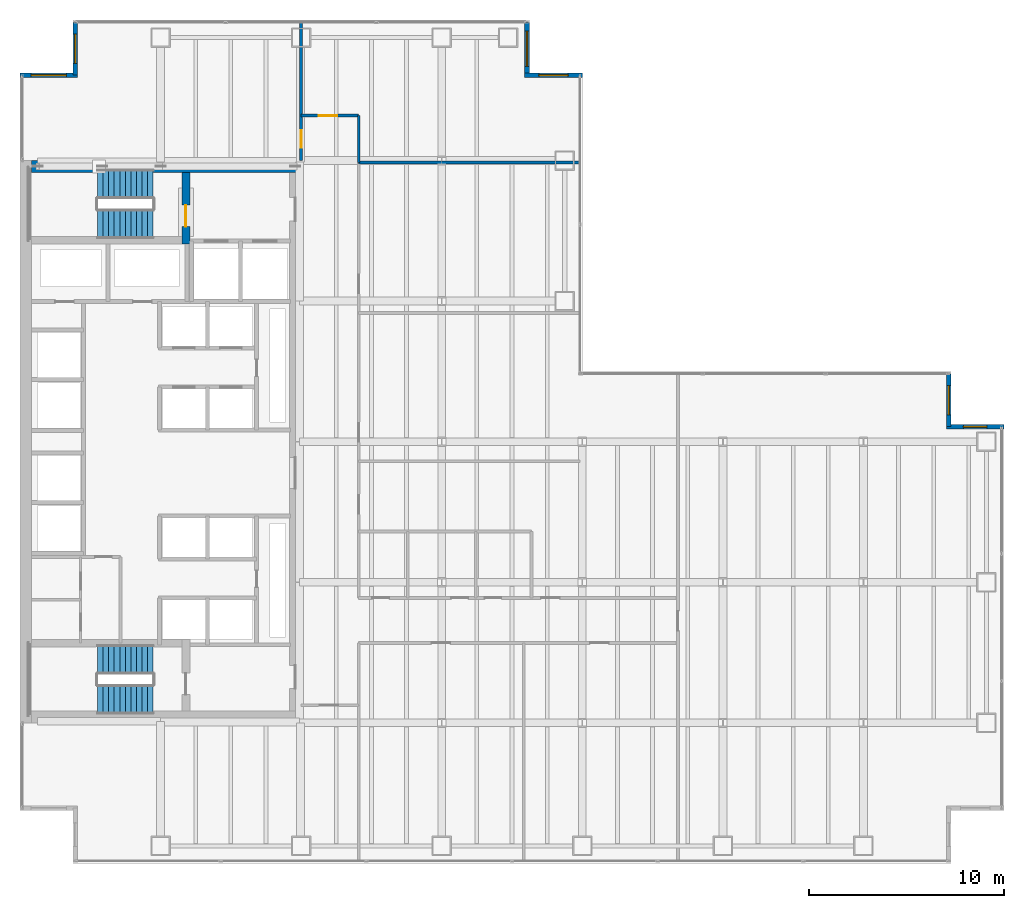
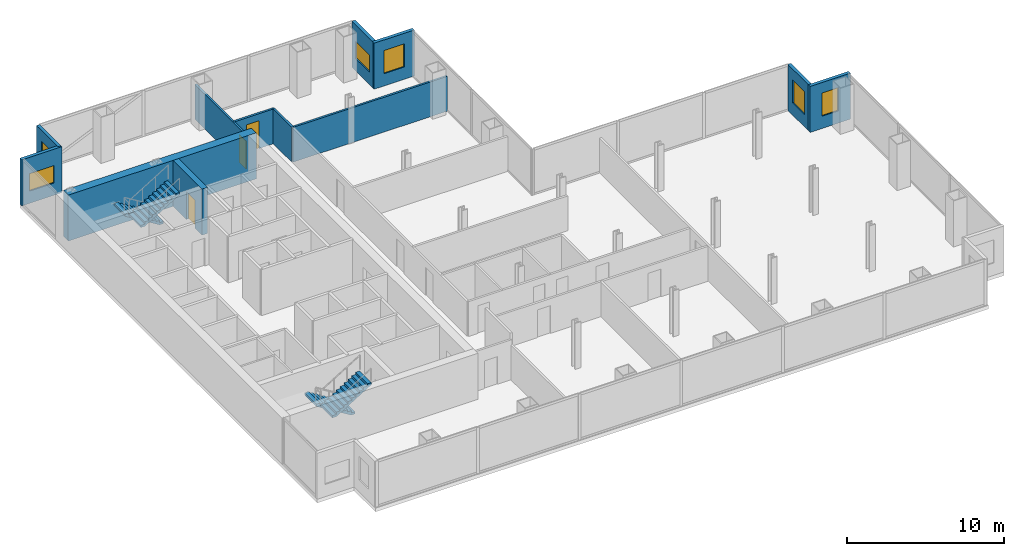
# One storey, part 22 of 23: 12 walls, 6 windows, 4 stair flights, 3 doors, 9 openings, 2 elements without a shape of their own.
"""IFC4 building model written with IfcOpenShell, lengths in metres."""

from ifc_helpers import new_model, si_unit, direction, frame, frame_2d, origin, place, context, subcontext, project, spatial, polyline, rectangle, outline, extrude, material, layer, layer_set, type_object, element, fill, aggregate, save


model = new_model("IFC4")

# Units and contexts
model_context = context("Model", 3, precision=1e-05, world=origin(), true_north=direction((0.0, 1.0)))
body_context = subcontext(model_context, "Body", "Model", "MODEL_VIEW")
ifc_project = project(units=[si_unit("LENGTHUNIT", "METRE"), si_unit("AREAUNIT", "SQUARE_METRE"), si_unit("VOLUMEUNIT", "CUBIC_METRE"), si_unit("PLANEANGLEUNIT", "RADIAN"), si_unit("MASSUNIT", "GRAM", prefix="KILO")], contexts=[model_context])

# Site, building, storey
site_placement = place(None, origin())
site = spatial("IfcSite", under=ifc_project, at=site_placement, CompositionType="ELEMENT")
building_placement = place(site_placement, origin())
building = spatial("IfcBuilding", under=site, at=building_placement, Name="Cobrela Telecom Tower", CompositionType="ELEMENT")
storey_placement = place(building_placement, frame((0.0, 0.0, 65.800048828125)))
storey = spatial("IfcBuildingStorey", under=building, at=storey_placement, Name="L16", CompositionType="ELEMENT", Elevation=65.800048828125)

# Wall
ifc_material_1 = material(Name="Concrete C50/60", Category="concrete")
ifc_layer_1 = layer(ifc_material_1, 0.60009765625)
ifc_layer_set_1 = layer_set([ifc_layer_1], Name="Concrete C50/60")
wall_type_1 = type_object("IfcWallType", Name="WALL-CORE-C50-600", PredefinedType="SHEAR", material=ifc_layer_set_1)
wall_1_placement = place(storey_placement, frame((0.60009765625, 35.699951171875, 0.0), z_axis=(0.0, 0.0, 1.0), x_axis=(1.0, 0.0, 0.0)))
element("IfcWall", 1, at=wall_1_placement, inside=storey, type_object=wall_type_1, Name="L16 North Core Shear Wall", PredefinedType="SHEAR", context=body_context, shape_type="SweptSolid", body=[
    extrude(rectangle(XDim=13.7998046875, YDim=0.60009765625, at=frame_2d((6.89990234375, 0.0))), origin(), (0.0, 0.0, 1.0), 3.570068359375),
])

# Wall, opening, window
ifc_material_2 = material(Name="Concrete C40/50", Category="concrete")
ifc_layer_2 = layer(ifc_material_2, 0.239990234375)
ifc_layer_set_2 = layer_set([ifc_layer_2], Name="Concrete C40/50")
wall_type_2 = type_object("IfcWallType", Name="WALL-EXT-300", PredefinedType="STANDARD", material=ifc_layer_set_2)
wall_2_placement = place(storey_placement, frame((0.0, 40.3701171875, 0.0), z_axis=(0.0, 0.0, 1.0), x_axis=(1.0, 0.0, 0.0)))
wall_2 = element("IfcWall", 2, at=wall_2_placement, inside=storey, type_object=wall_type_2, Name="L16 Insulated Facade Wall 05", PredefinedType="STANDARD", context=body_context, shape_type="SweptSolid", body=[
    extrude(rectangle(XDim=2.949951171875, YDim=0.239990234375, at=frame_2d((1.47509765625, 0.0))), origin(), (0.0, 0.0, 1.0), 3.570068359375),
])
opening_1_placement = place(wall_2_placement, frame((0.574951171875, 0.0, 0.949951171875)))
opening_1 = element("IfcOpeningElement", 3, at=opening_1_placement, cuts=wall_2, Name="Opening WN-27", PredefinedType="OPENING", context=body_context, shape_type="SweptSolid", body=[
    extrude(rectangle(XDim=1.800048828125, YDim=1.35009765625, at=frame_2d((0.89990234375, 0.675048828125))), frame((0.0, 0.1318359375, 0.0), z_axis=(0.0, -1.0, 0.0), x_axis=(1.0, 0.0, 0.0)), (0.0, 0.0, 1.0), 0.263916015625),
])
ifc_material_3 = material(Name="Solar-Control Bronze Low-E Glass", Category="glass")
window_type_1 = type_object("IfcWindowType", Name="WIN-CLER-1800", PartitioningType="SINGLE_PANEL", PredefinedType="WINDOW", material=ifc_material_3)
window_1_placement = place(opening_1_placement, origin())
window_1 = element("IfcWindow", 4, at=window_1_placement, inside=storey, type_object=window_type_1, Name="L16 Corner Notch Facade Window 072", OverallHeight=1.35009765625, OverallWidth=1.800048828125, PartitioningType="SINGLE_PANEL", PredefinedType="WINDOW", context=body_context, shape_type="SweptSolid", body=[
    extrude(rectangle(XDim=1.800048828125, YDim=1.35009765625, at=frame_2d((0.89990234375, 0.675048828125))), frame((0.0, 0.030029296875, 0.0), z_axis=(0.0, -1.0, 0.0), x_axis=(1.0, 0.0, 0.0)), (0.0, 0.0, 1.0), 0.06005859375),
])
fill(opening_1, window_1)

wall_3_placement = place(storey_placement, frame((2.830078125, 40.3701171875, 0.0), z_axis=(0.0, 0.0, 1.0), x_axis=(0.0, 1.0, 0.0)))
wall_3 = element("IfcWall", 5, at=wall_3_placement, inside=storey, type_object=wall_type_2, Name="L16 Insulated Facade Wall 06", PredefinedType="STANDARD", context=body_context, shape_type="SweptSolid", body=[
    extrude(rectangle(XDim=2.7099609375, YDim=0.239990234375, at=frame_2d((1.35498046875, 0.0))), origin(), (0.0, 0.0, 1.0), 3.570068359375),
])
opening_2_placement = place(wall_3_placement, frame((0.60498046875, 0.0, 0.949951171875)))
opening_2 = element("IfcOpeningElement", 6, at=opening_2_placement, cuts=wall_3, Name="Opening WN-45", PredefinedType="OPENING", context=body_context, shape_type="SweptSolid", body=[
    extrude(rectangle(XDim=1.5, YDim=1.800048828125, at=frame_2d((0.75, 0.89990234375))), frame((0.0, 0.1318359375, 0.0), z_axis=(0.0, -1.0, 0.0), x_axis=(1.0, 0.0, 0.0)), (0.0, 0.0, 1.0), 0.263916015625),
])
window_type_2 = type_object("IfcWindowType", Name="WIN-MOD-1500", PartitioningType="SINGLE_PANEL", PredefinedType="WINDOW", material=ifc_material_3)
window_2_placement = place(opening_2_placement, origin())
window_2 = element("IfcWindow", 7, at=window_2_placement, inside=storey, type_object=window_type_2, Name="L16 Corner Notch Facade Window 073", OverallHeight=1.800048828125, OverallWidth=1.5, PartitioningType="SINGLE_PANEL", PredefinedType="WINDOW", context=body_context, shape_type="SweptSolid", body=[
    extrude(rectangle(XDim=1.5, YDim=1.800048828125, at=frame_2d((0.75, 0.89990234375))), frame((0.0, 0.030029296875, 0.0), z_axis=(0.0, -1.0, 0.0), x_axis=(1.0, 0.0, 0.0)), (0.0, 0.0, 1.0), 0.06005859375),
])
fill(opening_2, window_2)

wall_4_placement = place(storey_placement, frame((25.969970703125, 43.080078125, 0.0), z_axis=(0.0, 0.0, 1.0), x_axis=(0.0, -1.0, 0.0)))
wall_4 = element("IfcWall", 8, at=wall_4_placement, inside=storey, type_object=wall_type_2, Name="L16 Insulated Facade Wall 08", PredefinedType="STANDARD", context=body_context, shape_type="SweptSolid", body=[
    extrude(rectangle(XDim=2.7099609375, YDim=0.239990234375, at=frame_2d((1.35498046875, 0.0))), origin(), (0.0, 0.0, 1.0), 3.570068359375),
])
opening_3_placement = place(wall_4_placement, frame((0.455078125, 0.0, 0.949951171875)))
opening_3 = element("IfcOpeningElement", 9, at=opening_3_placement, cuts=wall_4, Name="Opening WN-27", PredefinedType="OPENING", context=body_context, shape_type="SweptSolid", body=[
    extrude(rectangle(XDim=1.800048828125, YDim=1.35009765625, at=frame_2d((0.89990234375, 0.675048828125))), frame((0.0, 0.1318359375, 0.0), z_axis=(0.0, -1.0, 0.0), x_axis=(1.0, 0.0, 0.0)), (0.0, 0.0, 1.0), 0.263916015625),
])
window_3_placement = place(opening_3_placement, origin())
window_3 = element("IfcWindow", 10, at=window_3_placement, inside=storey, type_object=window_type_1, Name="L16 Corner Notch Facade Window 074", OverallHeight=1.35009765625, OverallWidth=1.800048828125, PartitioningType="SINGLE_PANEL", PredefinedType="WINDOW", context=body_context, shape_type="SweptSolid", body=[
    extrude(rectangle(XDim=1.800048828125, YDim=1.35009765625, at=frame_2d((0.89990234375, 0.675048828125))), frame((0.0, 0.030029296875, 0.0), z_axis=(0.0, -1.0, 0.0), x_axis=(1.0, 0.0, 0.0)), (0.0, 0.0, 1.0), 0.06005859375),
])
fill(opening_3, window_3)

wall_5_placement = place(storey_placement, frame((25.85009765625, 40.3701171875, 0.0), z_axis=(0.0, 0.0, 1.0), x_axis=(1.0, 0.0, 0.0)))
wall_5 = element("IfcWall", 11, at=wall_5_placement, inside=storey, type_object=wall_type_2, Name="L16 Insulated Facade Wall 09", PredefinedType="STANDARD", context=body_context, shape_type="SweptSolid", body=[
    extrude(rectangle(XDim=2.949951171875, YDim=0.239990234375, at=frame_2d((1.47509765625, 0.0))), origin(), (0.0, 0.0, 1.0), 3.570068359375),
])
opening_4_placement = place(wall_5_placement, frame((0.72509765625, 0.0, 0.949951171875)))
opening_4 = element("IfcOpeningElement", 12, at=opening_4_placement, cuts=wall_5, Name="Opening WN-45", PredefinedType="OPENING", context=body_context, shape_type="SweptSolid", body=[
    extrude(rectangle(XDim=1.5, YDim=1.800048828125, at=frame_2d((0.75, 0.89990234375))), frame((0.0, 0.1318359375, 0.0), z_axis=(0.0, -1.0, 0.0), x_axis=(1.0, 0.0, 0.0)), (0.0, 0.0, 1.0), 0.263916015625),
])
window_4_placement = place(opening_4_placement, origin())
window_4 = element("IfcWindow", 13, at=window_4_placement, inside=storey, type_object=window_type_2, Name="L16 Corner Notch Facade Window 075", OverallHeight=1.800048828125, OverallWidth=1.5, PartitioningType="SINGLE_PANEL", PredefinedType="WINDOW", context=body_context, shape_type="SweptSolid", body=[
    extrude(rectangle(XDim=1.5, YDim=1.800048828125, at=frame_2d((0.75, 0.89990234375))), frame((0.0, 0.030029296875, 0.0), z_axis=(0.0, -1.0, 0.0), x_axis=(1.0, 0.0, 0.0)), (0.0, 0.0, 1.0), 0.06005859375),
])
fill(opening_4, window_4)

wall_6_placement = place(storey_placement, frame((47.570068359375, 25.080078125, 0.0), z_axis=(0.0, 0.0, 1.0), x_axis=(0.0, -1.0, 0.0)))
wall_6 = element("IfcWall", 14, at=wall_6_placement, inside=storey, type_object=wall_type_2, Name="L16 Insulated Facade Wall 12", PredefinedType="STANDARD", context=body_context, shape_type="SweptSolid", body=[
    extrude(rectangle(XDim=2.7099609375, YDim=0.239990234375, at=frame_2d((1.35498046875, 0.0))), origin(), (0.0, 0.0, 1.0), 3.570068359375),
])
opening_5_placement = place(wall_6_placement, frame((0.60498046875, 0.0, 0.949951171875)))
opening_5 = element("IfcOpeningElement", 15, at=opening_5_placement, cuts=wall_6, Name="Opening WN-45", PredefinedType="OPENING", context=body_context, shape_type="SweptSolid", body=[
    extrude(rectangle(XDim=1.5, YDim=1.800048828125, at=frame_2d((0.75, 0.89990234375))), frame((0.0, 0.1318359375, 0.0), z_axis=(0.0, -1.0, 0.0), x_axis=(1.0, 0.0, 0.0)), (0.0, 0.0, 1.0), 0.263916015625),
])
window_5_placement = place(opening_5_placement, origin())
window_5 = element("IfcWindow", 16, at=window_5_placement, inside=storey, type_object=window_type_2, Name="L16 Corner Notch Facade Window 076", OverallHeight=1.800048828125, OverallWidth=1.5, PartitioningType="SINGLE_PANEL", PredefinedType="WINDOW", context=body_context, shape_type="SweptSolid", body=[
    extrude(rectangle(XDim=1.5, YDim=1.800048828125, at=frame_2d((0.75, 0.89990234375))), frame((0.0, 0.030029296875, 0.0), z_axis=(0.0, -1.0, 0.0), x_axis=(1.0, 0.0, 0.0)), (0.0, 0.0, 1.0), 0.06005859375),
])
fill(opening_5, window_5)

wall_7_placement = place(storey_placement, frame((47.449951171875, 22.3701171875, 0.0), z_axis=(0.0, 0.0, 1.0), x_axis=(1.0, 0.0, 0.0)))
wall_7 = element("IfcWall", 17, at=wall_7_placement, inside=storey, type_object=wall_type_2, Name="L16 Insulated Facade Wall 13", PredefinedType="STANDARD", context=body_context, shape_type="SweptSolid", body=[
    extrude(rectangle(XDim=2.949951171875, YDim=0.239990234375, at=frame_2d((1.47509765625, 0.0))), origin(), (0.0, 0.0, 1.0), 3.570068359375),
])
opening_6_placement = place(wall_7_placement, frame((0.875, 0.0, 0.949951171875)))
opening_6 = element("IfcOpeningElement", 18, at=opening_6_placement, cuts=wall_7, Name="Opening WN-19", PredefinedType="OPENING", context=body_context, shape_type="SweptSolid", body=[
    extrude(rectangle(XDim=1.199951171875, YDim=1.800048828125, at=frame_2d((0.60009765625, 0.89990234375))), frame((0.0, 0.1318359375, 0.0), z_axis=(0.0, -1.0, 0.0), x_axis=(1.0, 0.0, 0.0)), (0.0, 0.0, 1.0), 0.263916015625),
])
window_type_3 = type_object("IfcWindowType", Name="WIN-MOD-1200", PartitioningType="SINGLE_PANEL", PredefinedType="WINDOW", material=ifc_material_3)
window_6_placement = place(opening_6_placement, origin())
window_6 = element("IfcWindow", 19, at=window_6_placement, inside=storey, type_object=window_type_3, Name="L16 Corner Notch Facade Window 077", OverallHeight=1.800048828125, OverallWidth=1.199951171875, PartitioningType="SINGLE_PANEL", PredefinedType="WINDOW", context=body_context, shape_type="SweptSolid", body=[
    extrude(rectangle(XDim=1.199951171875, YDim=1.800048828125, at=frame_2d((0.60009765625, 0.89990234375))), frame((0.0, 0.030029296875, 0.0), z_axis=(0.0, -1.0, 0.0), x_axis=(1.0, 0.0, 0.0)), (0.0, 0.0, 1.0), 0.06005859375),
])
fill(opening_6, window_6)

# Wall, opening, door
ifc_material_4 = material(Name="Fire-Rated Gypsum Plasterboard")
ifc_layer_3 = layer(ifc_material_4, 0.14990234375)
ifc_layer_set_3 = layer_set([ifc_layer_3], Name="Fire-Rated Gypsum Plasterboard")
wall_type_3 = type_object("IfcWallType", Name="WALL-PART-150", PredefinedType="PARTITIONING", material=ifc_layer_set_3)
wall_8_placement = place(storey_placement, frame((14.39990234375, 36.0, 0.0), z_axis=(0.0, 0.0, 1.0), x_axis=(0.0, 1.0, 0.0)))
wall_8 = element("IfcWall", 20, at=wall_8_placement, inside=storey, type_object=wall_type_3, Name="L16 Interior Partition W-CN-W", PredefinedType="PARTITIONING", context=body_context, shape_type="SweptSolid", body=[
    extrude(rectangle(XDim=7.080078125, YDim=0.14990234375, at=frame_2d((3.5400390625, 0.0))), origin(), (0.0, 0.0, 1.0), 2.698974609375),
])
opening_7_placement = place(wall_8_placement, frame((0.64990234375, 0.0, 0.0)))
opening_7 = element("IfcOpeningElement", 21, at=opening_7_placement, cuts=wall_8, Name="Opening DR-41", PredefinedType="OPENING", context=body_context, shape_type="SweptSolid", body=[
    extrude(rectangle(XDim=0.89990234375, YDim=2.14990234375, at=frame_2d((0.449951171875, 1.074951171875))), frame((0.0, 0.0869140625, 0.0), z_axis=(0.0, -1.0, 0.0), x_axis=(1.0, 0.0, 0.0)), (0.0, 0.0, 1.0), 0.173828125),
])
ifc_material_5 = material(Name="Solid Engineered Oak Timber", Category="wood")
door_type_1 = type_object("IfcDoorType", Name="DOOR-INT-900", OperationType="SINGLE_SWING_LEFT", PredefinedType="DOOR", material=ifc_material_5)
door_1_placement = place(opening_7_placement, origin())
door_1 = element("IfcDoor", 22, at=door_1_placement, inside=storey, type_object=door_type_1, Name="L16 Door DR-41", OperationType="SINGLE_SWING_LEFT", OverallHeight=2.14990234375, OverallWidth=0.89990234375, PredefinedType="DOOR", context=body_context, shape_type="SweptSolid", body=[
    extrude(rectangle(XDim=0.89990234375, YDim=2.14990234375, at=frame_2d((0.449951171875, 1.074951171875))), frame((0.0, 0.02490234375, 0.0), z_axis=(0.0, -1.0, 0.0), x_axis=(1.0, 0.0, 0.0)), (0.0, 0.0, 1.0), 0.050048828125),
])
fill(opening_7, door_1)

# Wall
wall_9_placement = place(storey_placement, frame((17.35009765625, 35.89990234375, 0.0), z_axis=(0.0, 0.0, 1.0), x_axis=(0.0, 1.0, 0.0)))
element("IfcWall", 23, at=wall_9_placement, inside=storey, type_object=wall_type_3, Name="L16 Interior Partition W-CN-E", PredefinedType="PARTITIONING", context=body_context, shape_type="SweptSolid", body=[
    extrude(rectangle(XDim=2.400146484375, YDim=0.14990234375, at=frame_2d((1.2001953125, 0.0))), origin(), (0.0, 0.0, 1.0), 2.698974609375),
])

# Wall, opening, door
wall_10_placement = place(storey_placement, frame((14.39990234375, 38.300048828125, 0.0), z_axis=(0.0, 0.0, 1.0), x_axis=(1.0, 0.0, 0.0)))
wall_10 = element("IfcWall", 24, at=wall_10_placement, inside=storey, type_object=wall_type_3, Name="L16 Interior Partition W-CN-T", PredefinedType="PARTITIONING", context=body_context, shape_type="SweptSolid", body=[
    extrude(rectangle(XDim=2.9501953125, YDim=0.14990234375, at=frame_2d((1.47509765625, 0.0))), origin(), (0.0, 0.0, 1.0), 2.698974609375),
])
opening_8_placement = place(wall_10_placement, frame((0.89990234375, 0.0, 0.0)))
opening_8 = element("IfcOpeningElement", 25, at=opening_8_placement, cuts=wall_10, Name="Opening DR-67", PredefinedType="OPENING", context=body_context, shape_type="SweptSolid", body=[
    extrude(rectangle(XDim=0.949951171875, YDim=2.14990234375, at=frame_2d((0.47509765625, 1.074951171875))), frame((0.0, 0.0869140625, 0.0), z_axis=(0.0, -1.0, 0.0), x_axis=(1.0, 0.0, 0.0)), (0.0, 0.0, 1.0), 0.173828125),
])
door_type_2 = type_object("IfcDoorType", Name="DOOR-INT-950", OperationType="SINGLE_SWING_LEFT", PredefinedType="DOOR", material=ifc_material_5)
door_2_placement = place(opening_8_placement, origin())
door_2 = element("IfcDoor", 26, at=door_2_placement, inside=storey, type_object=door_type_2, Name="L16 Door DR-67", OperationType="SINGLE_SWING_RIGHT", OverallHeight=2.14990234375, OverallWidth=0.949951171875, PredefinedType="DOOR", context=body_context, shape_type="SweptSolid", body=[
    extrude(rectangle(XDim=0.949951171875, YDim=2.14990234375, at=frame_2d((0.47509765625, 1.074951171875))), frame((0.0, 0.02490234375, 0.0), z_axis=(0.0, -1.0, 0.0), x_axis=(1.0, 0.0, 0.0)), (0.0, 0.0, 1.0), 0.050048828125),
])
fill(opening_8, door_2)

# Wall
wall_11_placement = place(storey_placement, frame((17.35009765625, 35.89990234375, 0.0), z_axis=(0.0, 0.0, 1.0), x_axis=(1.0, 0.0, 0.0)))
element("IfcWall", 27, at=wall_11_placement, inside=storey, type_object=wall_type_3, Name="L16 Interior Partition W-NW2-S", PredefinedType="PARTITIONING", context=body_context, shape_type="SweptSolid", body=[
    extrude(rectangle(XDim=11.329833984375, YDim=0.14990234375, at=frame_2d((5.6650390625, 0.0))), origin(), (0.0, 0.0, 1.0), 2.698974609375),
])

# Wall, opening, door
ifc_layer_4 = layer(ifc_material_2, 0.39990234375)
ifc_layer_set_4 = layer_set([ifc_layer_4], Name="Concrete C40/50")
wall_type_4 = type_object("IfcWallType", Name="WALL-SHAFT-C40-400", PredefinedType="SHEAR", material=ifc_layer_set_4)
wall_12_placement = place(storey_placement, frame((8.5, 31.719970703125, 0.0), z_axis=(0.0, 0.0, 1.0), x_axis=(0.0, 1.0, 0.0)))
wall_12 = element("IfcWall", 28, at=wall_12_placement, inside=storey, type_object=wall_type_4, Name="L16 North Stair Lobby Shear Wall", PredefinedType="SHEAR", context=body_context, shape_type="SweptSolid", body=[
    extrude(rectangle(XDim=3.679931640625, YDim=0.39990234375, at=frame_2d((1.83984375, 0.0))), origin(), (0.0, 0.0, 1.0), 3.570068359375),
])
opening_9_placement = place(wall_12_placement, frame((0.89990234375, 0.0, 0.0)))
opening_9 = element("IfcOpeningElement", 29, at=opening_9_placement, cuts=wall_12, Name="Opening DR-59", PredefinedType="OPENING", context=body_context, shape_type="SweptSolid", body=[
    extrude(rectangle(XDim=1.10009765625, YDim=2.14990234375, at=frame_2d((0.550048828125, 1.074951171875))), frame((0.0, 0.2119140625, 0.0), z_axis=(0.0, -1.0, 0.0), x_axis=(1.0, 0.0, 0.0)), (0.0, 0.0, 1.0), 0.423828125),
])
ifc_material_6 = material(Name="Steel ASTM A36", Category="steel")
door_type_3 = type_object("IfcDoorType", Name="DOOR-FD60-1100", OperationType="SINGLE_SWING_LEFT", PredefinedType="DOOR", material=ifc_material_6)
door_3_placement = place(opening_9_placement, origin())
door_3 = element("IfcDoor", 30, at=door_3_placement, inside=storey, type_object=door_type_3, Name="L16 Door DR-59", OperationType="SINGLE_SWING_RIGHT", OverallHeight=2.14990234375, OverallWidth=1.10009765625, PredefinedType="DOOR", context=body_context, shape_type="SweptSolid", body=[
    extrude(rectangle(XDim=1.10009765625, YDim=2.14990234375, at=frame_2d((0.550048828125, 1.074951171875))), frame((0.0, 0.02490234375, 0.0), z_axis=(0.0, -1.0, 0.0), x_axis=(1.0, 0.0, 0.0)), (0.0, 0.0, 1.0), 0.050048828125),
])
fill(opening_9, door_3)

# Stair, stair flights
stair_type = type_object("IfcStairType", Name="STAIR-CORE", PredefinedType="HALF_TURN_STAIR", material=ifc_material_2)
stair_1_placement = place(storey_placement, origin())
stair_1 = element("IfcStair", 31, at=stair_1_placement, inside=storey, type_object=stair_type, Name="L16 Smokeproof Exit Stair ST1", PredefinedType="HALF_TURN_STAIR")
stair_flight_type = type_object("IfcStairFlightType", Name="FLIGHT-CORE", PredefinedType="STRAIGHT", material=ifc_material_2)
stair_flight_1_placement = place(storey_placement, frame((6.820068359375, 34.800048828125, 0.0), z_axis=(0.0, 0.0, 1.0), x_axis=(-1.0, 0.0, 0.0)))
stair_flight_1 = element("IfcStairFlight", 32, at=stair_flight_1_placement, type_object=stair_flight_type, Name="ST1 flight 1", NumberOfRisers=11, NumberOfTreads=10, PredefinedType="STRAIGHT", RiserHeight=0.175, TreadLength=0.285, context=body_context, shape_type="SweptSolid", body=[
    extrude(outline(polyline([(0.0, 0.0), (0.0, 0.175048828125), (0.284912109375, 0.175048828125), (0.284912109375, 0.35009765625), (0.570068359375, 0.35009765625), (0.570068359375, 0.52490234375), (0.85498046875, 0.52490234375), (0.85498046875, 0.699951171875), (1.139892578125, 0.699951171875), (1.139892578125, 0.875), (1.425048828125, 0.875), (1.425048828125, 1.050048828125), (1.7099609375, 1.050048828125), (1.7099609375, 1.22509765625), (1.9951171875, 1.22509765625), (1.9951171875, 1.39990234375), (2.280029296875, 1.39990234375), (2.280029296875, 1.574951171875), (2.56494140625, 1.574951171875), (2.56494140625, 1.75), (2.85009765625, 1.75), (2.85009765625, 1.925048828125), (2.85009765625, 1.573974609375), (0.286376953125, 0.0), (0.0, 0.0)])), frame((0.0, 0.75, 0.0), z_axis=(0.0, -1.0, 0.0), x_axis=(1.0, 0.0, 0.0)), (0.0, 0.0, 1.0), 1.5),
])
stair_flight_2_placement = place(storey_placement, frame((3.969970703125, 32.75, 1.925048828125), z_axis=(0.0, 0.0, 1.0), x_axis=(1.0, 0.0, 0.0)))
stair_flight_2 = element("IfcStairFlight", 33, at=stair_flight_2_placement, type_object=stair_flight_type, Name="ST1 flight 2", NumberOfRisers=11, NumberOfTreads=10, PredefinedType="STRAIGHT", RiserHeight=0.175, TreadLength=0.285, context=body_context, shape_type="SweptSolid", body=[
    extrude(outline(polyline([(0.0, 0.0), (0.0, 0.175048828125), (0.284912109375, 0.175048828125), (0.284912109375, 0.35009765625), (0.570068359375, 0.35009765625), (0.570068359375, 0.52490234375), (0.85498046875, 0.52490234375), (0.85498046875, 0.699951171875), (1.139892578125, 0.699951171875), (1.139892578125, 0.875), (1.425048828125, 0.875), (1.425048828125, 1.050048828125), (1.7099609375, 1.050048828125), (1.7099609375, 1.22509765625), (1.9951171875, 1.22509765625), (1.9951171875, 1.39990234375), (2.280029296875, 1.39990234375), (2.280029296875, 1.574951171875), (2.56494140625, 1.574951171875), (2.56494140625, 1.75), (2.85009765625, 1.75), (2.85009765625, 1.925048828125), (2.85009765625, 1.573974609375), (0.286376953125, 0.0), (0.0, 0.0)])), frame((0.0, 0.75, 0.0), z_axis=(0.0, -1.0, 0.0), x_axis=(1.0, 0.0, 0.0)), (0.0, 0.0, 1.0), 1.5),
])
aggregate(stair_1, [stair_flight_1, stair_flight_2])

stair_2_placement = place(storey_placement, origin())
stair_2 = element("IfcStair", 34, at=stair_2_placement, inside=storey, type_object=stair_type, Name="L16 Smokeproof Exit Stair ST2", PredefinedType="HALF_TURN_STAIR")
stair_flight_3_placement = place(storey_placement, frame((6.820068359375, 10.449951171875, 0.0), z_axis=(0.0, 0.0, 1.0), x_axis=(-1.0, 0.0, 0.0)))
stair_flight_3 = element("IfcStairFlight", 35, at=stair_flight_3_placement, type_object=stair_flight_type, Name="ST2 flight 1", NumberOfRisers=11, NumberOfTreads=10, PredefinedType="STRAIGHT", RiserHeight=0.175, TreadLength=0.285, context=body_context, shape_type="SweptSolid", body=[
    extrude(outline(polyline([(0.0, 0.0), (0.0, 0.175048828125), (0.284912109375, 0.175048828125), (0.284912109375, 0.35009765625), (0.570068359375, 0.35009765625), (0.570068359375, 0.52490234375), (0.85498046875, 0.52490234375), (0.85498046875, 0.699951171875), (1.139892578125, 0.699951171875), (1.139892578125, 0.875), (1.425048828125, 0.875), (1.425048828125, 1.050048828125), (1.7099609375, 1.050048828125), (1.7099609375, 1.22509765625), (1.9951171875, 1.22509765625), (1.9951171875, 1.39990234375), (2.280029296875, 1.39990234375), (2.280029296875, 1.574951171875), (2.56494140625, 1.574951171875), (2.56494140625, 1.75), (2.85009765625, 1.75), (2.85009765625, 1.925048828125), (2.85009765625, 1.573974609375), (0.286376953125, 0.0), (0.0, 0.0)])), frame((0.0, 0.75, 0.0), z_axis=(0.0, -1.0, 0.0), x_axis=(1.0, 0.0, 0.0)), (0.0, 0.0, 1.0), 1.5),
])
stair_flight_4_placement = place(storey_placement, frame((3.969970703125, 8.39990234375, 1.925048828125), z_axis=(0.0, 0.0, 1.0), x_axis=(1.0, 0.0, 0.0)))
stair_flight_4 = element("IfcStairFlight", 36, at=stair_flight_4_placement, type_object=stair_flight_type, Name="ST2 flight 2", NumberOfRisers=11, NumberOfTreads=10, PredefinedType="STRAIGHT", RiserHeight=0.175, TreadLength=0.285, context=body_context, shape_type="SweptSolid", body=[
    extrude(outline(polyline([(0.0, 0.0), (0.0, 0.175048828125), (0.284912109375, 0.175048828125), (0.284912109375, 0.35009765625), (0.570068359375, 0.35009765625), (0.570068359375, 0.52490234375), (0.85498046875, 0.52490234375), (0.85498046875, 0.699951171875), (1.139892578125, 0.699951171875), (1.139892578125, 0.875), (1.425048828125, 0.875), (1.425048828125, 1.050048828125), (1.7099609375, 1.050048828125), (1.7099609375, 1.22509765625), (1.9951171875, 1.22509765625), (1.9951171875, 1.39990234375), (2.280029296875, 1.39990234375), (2.280029296875, 1.574951171875), (2.56494140625, 1.574951171875), (2.56494140625, 1.75), (2.85009765625, 1.75), (2.85009765625, 1.925048828125), (2.85009765625, 1.573974609375), (0.286376953125, 0.0), (0.0, 0.0)])), frame((0.0, 0.75, 0.0), z_axis=(0.0, -1.0, 0.0), x_axis=(1.0, 0.0, 0.0)), (0.0, 0.0, 1.0), 1.5),
])
aggregate(stair_2, [stair_flight_3, stair_flight_4])

save(model, "model.ifc")
